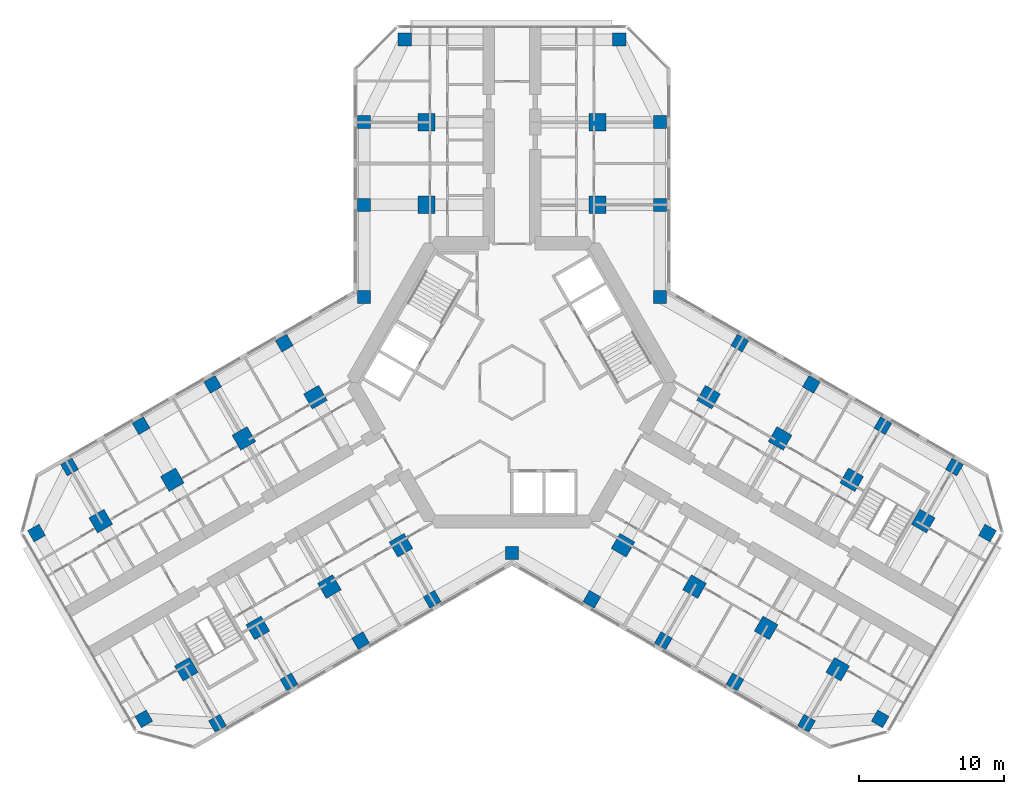
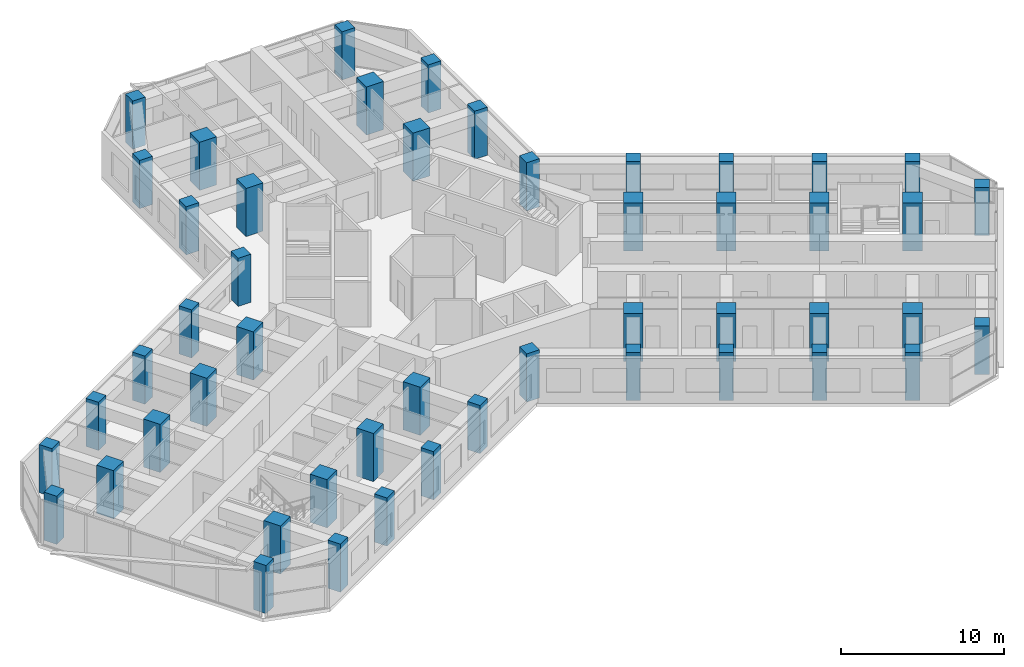
# One storey, part 1 of 19: 49 columns.
"""IFC4 building model written with IfcOpenShell, lengths in metres."""

from ifc_helpers import new_model, si_unit, direction, frame, origin, origin_2d, place, context, subcontext, project, spatial, rectangle, extrude, material, material_profile, profile_set, type_object, element, save


model = new_model("IFC4")

# Units and contexts
model_context = context("Model", 3, precision=1e-05, world=origin(), true_north=direction((0.0, 1.0)))
body_context = subcontext(model_context, "Body", "Model", "MODEL_VIEW")
ifc_project = project(units=[si_unit("LENGTHUNIT", "METRE"), si_unit("AREAUNIT", "SQUARE_METRE"), si_unit("VOLUMEUNIT", "CUBIC_METRE"), si_unit("PLANEANGLEUNIT", "RADIAN"), si_unit("MASSUNIT", "GRAM", prefix="KILO")], contexts=[model_context])

# Site, building, storey
site_placement = place(None, origin())
site = spatial("IfcSite", under=ifc_project, at=site_placement, CompositionType="ELEMENT")
building_placement = place(site_placement, origin())
building = spatial("IfcBuilding", under=site, at=building_placement, Name="Kosmar Iwan School Tower", CompositionType="ELEMENT")
storey_placement = place(building_placement, frame((0.0, 0.0, 161.60009765625)))
storey = spatial("IfcBuildingStorey", under=building, at=storey_placement, Name="L40", CompositionType="ELEMENT", Elevation=161.60009765625)

# Columns
ifc_material_1 = material(Name="Concrete C50/60", Category="concrete")
ifc_material_profile_1 = material_profile(ifc_material_1, rectangle(XDim=0.89990234375, YDim=0.89990234375, at=origin_2d()), Name="RC 900x900 + HD 400x347")
ifc_profile_set_1 = profile_set([ifc_material_profile_1], Name="Concrete C50/60")
column_type_1 = type_object("IfcColumnType", Name="Composite column 900x900 HD 400x347", PredefinedType="COLUMN", material=ifc_profile_set_1)
for number, where, z_axis, x_axis, name in (
    (1, (-10.199951171875, 12.25, 0.0), (0.0, 0.0, 1.0), (0.0, 1.0, 0.0), "Column AL1 L40"),
    (2, (-10.199951171875, 17.949951171875, 0.0), (0.0, 0.0, 1.0), (0.0, 1.0, 0.0), "Column AL2 L40"),
    (3, (-7.39990234375, 23.64990234375, 0.0), (0.0, 0.0, 1.0), (0.0, 1.0, 0.0), "Column ALTIP L40"),
    (4, (10.199951171875, 12.25, 0.0), (0.0, 0.0, 1.0), (0.0, 1.0, 0.0), "Column AR1 L40"),
    (5, (10.199951171875, 17.949951171875, 0.0), (0.0, 0.0, 1.0), (0.0, 1.0, 0.0), "Column AR2 L40"),
    (6, (7.39990234375, 23.64990234375, 0.0), (0.0, 0.0, 1.0), (0.0, 1.0, 0.0), "Column ARTIP L40"),
    (7, (-5.5087890625, -14.95849609375, 0.0), (0.0, 0.0, 1.0), (-0.866025403784, -0.5, 0.0), "Column BL1 L40"),
    (8, (-10.445068359375, -17.808349609375, 0.0), (0.0, 0.0, 1.0), (-0.866025403784, -0.5, 0.0), "Column BL2 L40"),
    (9, (-15.381591796875, -20.658447265625, 0.0), (0.0, 0.0, 1.0), (-0.866025403784, -0.5, 0.0), "Column BL3 L40"),
    (10, (-20.31787109375, -23.508544921875, 0.0), (0.0, 0.0, 1.0), (-0.866025403784, -0.5, 0.0), "Column BL4 L40"),
    (11, (-25.3984375, -23.20849609375, 0.0), (0.0, 0.0, 1.0), (-0.866025403784, -0.5, 0.0), "Column BLTIP L40"),
    (12, (-15.708740234375, 2.70849609375, 0.0), (0.0, 0.0, 1.0), (-0.866025403784, -0.5, 0.0), "Column BR1 L40"),
    (13, (-20.645263671875, -0.1416015625, 0.0), (0.0, 0.0, 1.0), (-0.866025403784, -0.5, 0.0), "Column BR2 L40"),
    (14, (-25.58154296875, -2.991455078125, 0.0), (0.0, 0.0, 1.0), (-0.866025403784, -0.5, 0.0), "Column BR3 L40"),
    (15, (-30.517822265625, -5.841552734375, 0.0), (0.0, 0.0, 1.0), (-0.866025403784, -0.5, 0.0), "Column BR4 L40"),
    (16, (-32.79833984375, -10.391357421875, 0.0), (0.0, 0.0, 1.0), (-0.866025403784, -0.5, 0.0), "Column BRTIP L40"),
    (17, (15.708740234375, 2.70849609375, 0.0), (0.0, 0.0, 1.0), (0.866025403784, -0.5, 0.0), "Column CL1 L40"),
    (18, (20.645263671875, -0.1416015625, 0.0), (0.0, 0.0, 1.0), (0.866025403784, -0.5, 0.0), "Column CL2 L40"),
    (19, (25.58154296875, -2.991455078125, 0.0), (0.0, 0.0, 1.0), (0.866025403784, -0.5, 0.0), "Column CL3 L40"),
    (20, (30.517822265625, -5.841552734375, 0.0), (0.0, 0.0, 1.0), (0.866025403784, -0.5, 0.0), "Column CL4 L40"),
    (21, (32.79833984375, -10.391357421875, 0.0), (0.0, 0.0, 1.0), (0.866025403784, -0.5, 0.0), "Column CLTIP L40"),
    (22, (5.5087890625, -14.95849609375, 0.0), (0.0, 0.0, 1.0), (0.866025403784, -0.5, 0.0), "Column CR1 L40"),
    (23, (10.445068359375, -17.808349609375, 0.0), (0.0, 0.0, 1.0), (0.866025403784, -0.5, 0.0), "Column CR2 L40"),
    (24, (15.381591796875, -20.658447265625, 0.0), (0.0, 0.0, 1.0), (0.866025403784, -0.5, 0.0), "Column CR3 L40"),
    (25, (20.31787109375, -23.508544921875, 0.0), (0.0, 0.0, 1.0), (0.866025403784, -0.5, 0.0), "Column CR4 L40"),
    (26, (25.3984375, -23.20849609375, 0.0), (0.0, 0.0, 1.0), (0.866025403784, -0.5, 0.0), "Column CRTIP L40"),
    (27, (-10.199951171875, 5.888916015625, 0.0), (0.0, 0.0, 1.0), (1.0, 0.0, 0.0), "Column RAB L40"),
    (28, (10.199951171875, 5.888916015625, 0.0), (0.0, 0.0, 1.0), (1.0, 0.0, 0.0), "Column RAC L40"),
    (29, (0.0, -11.77783203125, 0.0), (0.0, 0.0, 1.0), (1.0, 0.0, 0.0), "Column RBC L40"),
):
    element("IfcColumn", number, at=place(storey_placement, frame(where, z_axis=z_axis, x_axis=x_axis)), inside=storey, type_object=column_type_1, Name=name, PredefinedType="COLUMN", context=body_context, shape_type="SweptSolid", body=[
        extrude(rectangle(XDim=0.89990234375, YDim=0.89990234375, at=origin_2d()), origin(), (0.0, 0.0, 1.0), 3.599853515625),
    ])
ifc_material_2 = material(Name="Concrete C50/60", Category="concrete")
ifc_material_profile_2 = material_profile(ifc_material_2, rectangle(XDim=1.199951171875, YDim=1.199951171875, at=origin_2d()), Name="RC 1200x1200")
ifc_profile_set_2 = profile_set([ifc_material_profile_2], Name="Concrete C50/60")
column_type_2 = type_object("IfcColumnType", Name="RC interior column 1200x1200", PredefinedType="COLUMN", material=ifc_profile_set_2)
for number, where, z_axis, x_axis, name in (
    (30, (-5.89990234375, 12.25, 0.0), (0.0, 0.0, 1.0), (0.0, 1.0, 0.0), "Interior column ALI1 L40"),
    (31, (-5.89990234375, 17.949951171875, 0.0), (0.0, 0.0, 1.0), (0.0, 1.0, 0.0), "Interior column ALI2 L40"),
    (32, (5.89990234375, 12.25, 0.0), (0.0, 0.0, 1.0), (0.0, 1.0, 0.0), "Interior column ARI1 L40"),
    (33, (5.89990234375, 17.949951171875, 0.0), (0.0, 0.0, 1.0), (0.0, 1.0, 0.0), "Interior column ARI2 L40"),
    (34, (-7.65869140625, -11.234619140625, 0.0), (0.0, 0.0, 1.0), (-0.866025403784, -0.5, 0.0), "Interior column BLI1 L40"),
    (35, (-12.59521484375, -14.08447265625, 0.0), (0.0, 0.0, 1.0), (-0.866025403784, -0.5, 0.0), "Interior column BLI2 L40"),
    (36, (-17.531494140625, -16.9345703125, 0.0), (0.0, 0.0, 1.0), (-0.866025403784, -0.5, 0.0), "Interior column BLI3 L40"),
    (37, (-22.4677734375, -19.78466796875, 0.0), (0.0, 0.0, 1.0), (-0.866025403784, -0.5, 0.0), "Interior column BLI4 L40"),
    (38, (-13.558837890625, -1.015380859375, 0.0), (0.0, 0.0, 1.0), (-0.866025403784, -0.5, 0.0), "Interior column BRI1 L40"),
    (39, (-18.4951171875, -3.865478515625, 0.0), (0.0, 0.0, 1.0), (-0.866025403784, -0.5, 0.0), "Interior column BRI2 L40"),
    (40, (-23.431396484375, -6.71533203125, 0.0), (0.0, 0.0, 1.0), (-0.866025403784, -0.5, 0.0), "Interior column BRI3 L40"),
    (41, (-28.367919921875, -9.5654296875, 0.0), (0.0, 0.0, 1.0), (-0.866025403784, -0.5, 0.0), "Interior column BRI4 L40"),
    (42, (13.558837890625, -1.015380859375, 0.0), (0.0, 0.0, 1.0), (0.866025403784, -0.5, 0.0), "Interior column CLI1 L40"),
    (43, (18.4951171875, -3.865478515625, 0.0), (0.0, 0.0, 1.0), (0.866025403784, -0.5, 0.0), "Interior column CLI2 L40"),
    (44, (23.431396484375, -6.71533203125, 0.0), (0.0, 0.0, 1.0), (0.866025403784, -0.5, 0.0), "Interior column CLI3 L40"),
    (45, (28.367919921875, -9.5654296875, 0.0), (0.0, 0.0, 1.0), (0.866025403784, -0.5, 0.0), "Interior column CLI4 L40"),
    (46, (7.65869140625, -11.234619140625, 0.0), (0.0, 0.0, 1.0), (0.866025403784, -0.5, 0.0), "Interior column CRI1 L40"),
    (47, (12.59521484375, -14.08447265625, 0.0), (0.0, 0.0, 1.0), (0.866025403784, -0.5, 0.0), "Interior column CRI2 L40"),
    (48, (17.531494140625, -16.9345703125, 0.0), (0.0, 0.0, 1.0), (0.866025403784, -0.5, 0.0), "Interior column CRI3 L40"),
    (49, (22.4677734375, -19.78466796875, 0.0), (0.0, 0.0, 1.0), (0.866025403784, -0.5, 0.0), "Interior column CRI4 L40"),
):
    element("IfcColumn", number, at=place(storey_placement, frame(where, z_axis=z_axis, x_axis=x_axis)), inside=storey, type_object=column_type_2, Name=name, PredefinedType="COLUMN", context=body_context, shape_type="SweptSolid", body=[
        extrude(rectangle(XDim=1.199951171875, YDim=1.199951171875, at=origin_2d()), origin(), (0.0, 0.0, 1.0), 3.599853515625),
    ])

save(model, "model.ifc")
